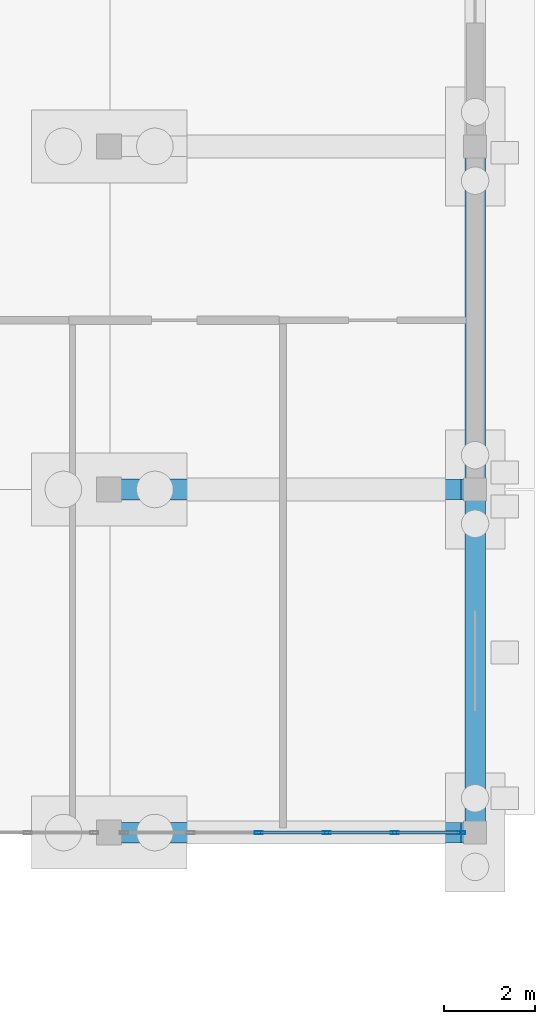
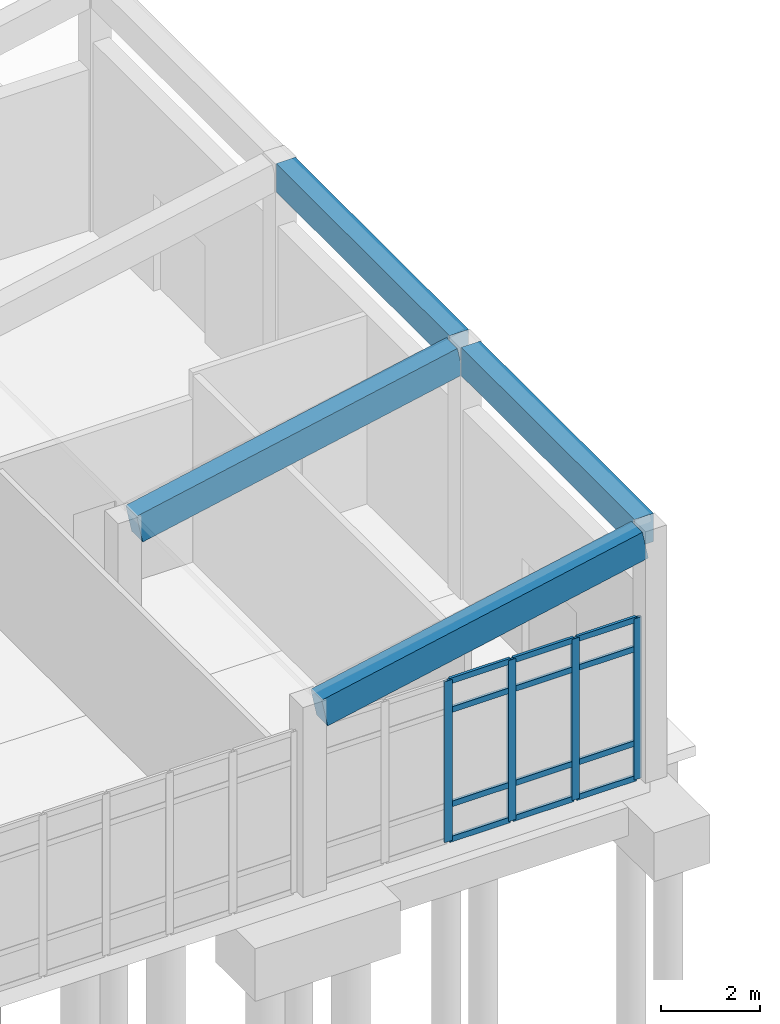
# One storey, part 114 of 173: 16 members, 4 beams, 1 element without a shape of its own.
"""IFC4 building model written with IfcOpenShell, lengths in metres."""

import ifcopenshell
import ifcopenshell.guid

model = None  # the IFC model being written
_history = None  # IfcOwnerHistory: only IFC2X3 demands one
_inside = {}  # id of a spatial element -> (the spatial element, [elements in it])
_under = {}  # id of a project, library or spatial element -> (it, [spatial elements below it])
_declared = {}  # id of a project -> (the project, [libraries it declares])
_typed = {}  # id of a type object -> (the type object, [elements of that type])
_made_of = {}  # id of a material, layer set ... -> (it, [elements and type objects made of it])


def new_model(schema):
    """Start an empty IFC model of exactly this schema.

    Asked for "IFC4X3", IfcOpenShell would pick the latest addendum, in which some entities
    have other attributes; the version numbers below select the first issue.
    IFC2X3 requires an IfcOwnerHistory on every rooted entity: one is made here for all.
    """
    global model, _history
    if schema == "IFC4X3":
        model = ifcopenshell.file(schema_version=(4, 3, 0, 0))
    else:
        model = ifcopenshell.file(schema=schema)
    _inside.clear()
    _under.clear()
    _declared.clear()
    _typed.clear()
    _made_of.clear()
    _history = None
    if model.schema == "IFC2X3":
        org = make("IfcOrganization", Name="unknown")
        user = make(
            "IfcPersonAndOrganization",
            ThePerson=make("IfcPerson", FamilyName="unknown"),
            TheOrganization=org,
        )
        app = make(
            "IfcApplication",
            ApplicationDeveloper=org,
            Version="unknown",
            ApplicationFullName="unknown",
            ApplicationIdentifier="unknown",
        )
        _history = make(
            "IfcOwnerHistory",
            OwningUser=user,
            OwningApplication=app,
            ChangeAction="ADDED",
            CreationDate=0,
        )
    return model


def make(cls, **values):
    """One entity of the class cls with the attributes given. An attribute that is None is left unset."""
    return model.create_entity(
        cls, **{name: value for name, value in values.items() if value is not None}
    )


def rooted(cls, **values):
    """An entity with a GlobalId (a new one), such as an element, a storey or a relation."""
    return make(cls, GlobalId=ifcopenshell.guid.new(), OwnerHistory=_history, **values)


def si_unit(unit_type, name, prefix=None):
    """IfcSIUnit, for example si_unit("LENGTHUNIT", "METRE", prefix="MILLI")."""
    return make("IfcSIUnit", UnitType=unit_type, Prefix=prefix, Name=name)


def assignment(units):
    """IfcUnitAssignment: the units of a project."""
    return None if units is None else make("IfcUnitAssignment", Units=units)


def point(xyz):
    """IfcCartesianPoint."""
    return None if xyz is None else make("IfcCartesianPoint", Coordinates=xyz)


def direction(xyz):
    """IfcDirection."""
    return None if xyz is None else make("IfcDirection", DirectionRatios=xyz)


def frame(location, z_axis=None, x_axis=None):
    """IfcAxis2Placement3D, a coordinate frame: its origin and axes. An axis left out is left unset."""
    return make(
        "IfcAxis2Placement3D",
        Location=point(location),
        Axis=direction(z_axis),
        RefDirection=direction(x_axis),
    )


def frame_2d(location, x_axis=None):
    """IfcAxis2Placement2D, a coordinate frame in the plane: its origin and x axis."""
    return make(
        "IfcAxis2Placement2D", Location=point(location), RefDirection=direction(x_axis)
    )


def origin():
    """The frame at (0, 0, 0) with its axes left unset."""
    return frame((0.0, 0.0, 0.0))


def origin_2d():
    """The frame at (0, 0) in the plane with its x axis left unset."""
    return frame_2d((0.0, 0.0))


def place(relative_to, where):
    """IfcLocalPlacement: puts the frame where relative to a parent placement (None: the world)."""
    return make(
        "IfcLocalPlacement", PlacementRelTo=relative_to, RelativePlacement=where
    )


def context(
    kind, dimensions, precision=None, world=None, true_north=None, identifier=None
):
    """IfcGeometricRepresentationContext, for example the 3D "Model" context."""
    return make(
        "IfcGeometricRepresentationContext",
        ContextIdentifier=identifier,
        ContextType=kind,
        CoordinateSpaceDimension=dimensions,
        Precision=precision,
        WorldCoordinateSystem=world,
        TrueNorth=true_north,
    )


def subcontext(parent, identifier, kind, view, scale=None):
    """IfcGeometricRepresentationSubContext, for example "Body" below "Model"."""
    return make(
        "IfcGeometricRepresentationSubContext",
        ContextIdentifier=identifier,
        ContextType=kind,
        ParentContext=parent,
        TargetScale=scale,
        TargetView=view,
    )


def project(units=None, contexts=None):
    """IfcProject with its units and contexts."""
    return rooted(
        "IfcProject",
        Name="project",
        RepresentationContexts=contexts,
        UnitsInContext=assignment(units),
    )


def spatial(cls, under=None, at=None, **own):
    """A site, building, storey or space (cls), placed at a placement, below another one or the project."""
    s = rooted(cls, ObjectPlacement=at, **own)
    if under is not None:
        _under.setdefault(under.id(), (under, []))[1].append(s)
    return s


def profile(cls, at=None, kind="AREA", **sizes):
    """A parametric profile (cls). Its sizes go by their IFC names, for example OverallWidth=200.0."""
    return make(cls, ProfileType=kind, Position=at, **sizes)


def rectangle(**sizes):
    """IfcRectangleProfileDef."""
    return profile("IfcRectangleProfileDef", **sizes)


def hollow_rectangle(**sizes):
    """IfcRectangleHollowProfileDef."""
    return profile("IfcRectangleHollowProfileDef", **sizes)


def extrude(swept, where, along, depth):
    """IfcExtrudedAreaSolid: the profile swept, set in the frame where, extruded along a direction by depth."""
    return make(
        "IfcExtrudedAreaSolid",
        SweptArea=swept,
        Position=where,
        ExtrudedDirection=direction(along),
        Depth=depth,
    )


def shape(context_of_items, identifier, shape_type, items):
    """IfcShapeRepresentation: the items that make up one representation, for example the "Body"."""
    return make(
        "IfcShapeRepresentation",
        ContextOfItems=context_of_items,
        RepresentationIdentifier=identifier,
        RepresentationType=shape_type,
        Items=items,
    )


def material(Name=None, Category=None):
    """IfcMaterial."""
    return make("IfcMaterial", Name=Name, Category=Category)


def layer(
    of_material, thickness, ventilated=None, Name=None, Category=None, Priority=None
):
    """IfcMaterialLayer: one layer of a wall or slab, of a material (None: an air gap)."""
    return make(
        "IfcMaterialLayer",
        Material=of_material,
        LayerThickness=thickness,
        IsVentilated=ventilated,
        Name=Name,
        Category=Category,
        Priority=Priority,
    )


def layer_set(layers, Name=None):
    """IfcMaterialLayerSet."""
    return make("IfcMaterialLayerSet", MaterialLayers=layers, LayerSetName=Name)


def material_profile(
    of_material, cross_section, Name=None, Category=None, Priority=None
):
    """IfcMaterialProfile: a cross section and its material."""
    return make(
        "IfcMaterialProfile",
        Name=Name,
        Material=of_material,
        Profile=cross_section,
        Priority=Priority,
        Category=Category,
    )


def profile_set(profiles, Name=None, composite=None):
    """IfcMaterialProfileSet."""
    return make(
        "IfcMaterialProfileSet",
        Name=Name,
        MaterialProfiles=profiles,
        CompositeProfile=composite,
    )


def made_of(thing, what):
    """Note that an element or type object is made of a material, layer set ...; save() writes the relation."""
    if what is not None:
        _made_of.setdefault(what.id(), (what, []))[1].append(thing)
    return thing


def type_object(cls, material=None, **own):
    """A type object (cls), such as IfcWallType, which elements share."""
    return made_of(rooted(cls, **own), material)


def element(
    cls,
    number,
    at=None,
    inside=None,
    cuts=None,
    type_object=None,
    material=None,
    context=None,
    identifier="Body",
    shape_type=None,
    held_by="IfcProductDefinitionShape",
    body=None,
    shapes=None,
    **own,
):
    """One element of the class cls, such as IfcWall. Its Tag is "e" and its number.

    at: its placement. inside: the storey or other place that contains it. cuts: it is an
    opening in that element (IfcRelVoidsElement). A single representation is given by context,
    identifier, shape_type and body (its items); several are given by shapes. held_by: the class
    of the entity that holds the representations. save() writes the other relations.
    """
    e = rooted(cls, Tag="e%d" % number, ObjectPlacement=at, **own)
    if body is not None:
        shapes = [shape(context, identifier, shape_type, body)]
    if shapes is not None:
        e.Representation = make(held_by, Representations=shapes)
    if inside is not None:
        _inside.setdefault(inside.id(), (inside, []))[1].append(e)
    if cuts is not None:
        rooted(
            "IfcRelVoidsElement", RelatingBuildingElement=cuts, RelatedOpeningElement=e
        )
    if type_object is not None:
        _typed.setdefault(type_object.id(), (type_object, []))[1].append(e)
    return made_of(e, material)


def aggregate(whole, parts):
    """IfcRelAggregates: a whole, such as a stair, and the parts it consists of."""
    return rooted("IfcRelAggregates", RelatingObject=whole, RelatedObjects=parts)


def save(model, path):
    """Write the relations noted so far, then the file.

    IfcRelAggregates (storeys below a building ...), IfcRelContainedInSpatialStructure (elements
    in a storey), IfcRelDefinesByType, IfcRelAssociatesMaterial and IfcRelDeclares: one each for
    every whole, place, type object, material and project.
    """
    for whole, parts in _under.values():
        aggregate(whole, parts)
    for where, things in _inside.values():
        rooted(
            "IfcRelContainedInSpatialStructure",
            RelatedElements=things,
            RelatingStructure=where,
        )
    for kind, things in _typed.values():
        rooted("IfcRelDefinesByType", RelatedObjects=things, RelatingType=kind)
    for what, things in _made_of.values():
        rooted("IfcRelAssociatesMaterial", RelatedObjects=things, RelatingMaterial=what)
    for by, libraries in _declared.values():
        rooted("IfcRelDeclares", RelatingContext=by, RelatedDefinitions=libraries)
    model.write(path)


model = new_model("IFC4")

# Units and contexts
model_context = context("Model", 3, precision=1e-05, world=origin(), true_north=direction((0.0, 1.0)))
body_context = subcontext(model_context, "Body", "Model", "MODEL_VIEW")
ifc_project = project(units=[si_unit("LENGTHUNIT", "METRE"), si_unit("AREAUNIT", "SQUARE_METRE"), si_unit("VOLUMEUNIT", "CUBIC_METRE"), si_unit("PLANEANGLEUNIT", "RADIAN"), si_unit("MASSUNIT", "GRAM", prefix="KILO")], contexts=[model_context])

# Site, building, storey
site_placement = place(None, origin())
site = spatial("IfcSite", under=ifc_project, at=site_placement, CompositionType="ELEMENT")
building_placement = place(site_placement, origin())
building = spatial("IfcBuilding", under=site, at=building_placement, Name="Mawjan Specialist Oncology Clinic", CompositionType="ELEMENT")
storey_placement = place(building_placement, origin())
storey = spatial("IfcBuildingStorey", under=building, at=storey_placement, Name="L00", CompositionType="ELEMENT", Elevation=0.0)

# Beams
ifc_material_1 = material(Name="Concrete C40/50", Category="concrete")
ifc_material_profile_1 = material_profile(ifc_material_1, rectangle(XDim=0.449951171875, YDim=0.699951171875, at=origin_2d()), Name="RC BM 450x700", Category="concrete")
ifc_profile_set_1 = profile_set([ifc_material_profile_1], Name="Concrete C40/50")
beam_type = type_object("IfcBeamType", Name="BM-450x700", PredefinedType="BEAM", material=ifc_profile_set_1)
for number, where, z_axis, x_axis, name in (
    (1, (156.260009765625, 75.800048828125, 4.35009765625), (0.979950378774, 0.0, 0.199241700304), (0.0, 1.0, 0.0), "L00 Roof Framing Beam BM-RF-L00-1253"),
    (2, (156.260009765625, 83.300048828125, 4.35009765625), (0.979950378774, 0.0, 0.199241700304), (0.0, 1.0, 0.0), "L00 Roof Framing Beam BM-RF-L00-1254"),
):
    element("IfcBeam", number, at=place(storey_placement, frame(where, z_axis=z_axis, x_axis=x_axis)), inside=storey, type_object=beam_type, Name=name, PredefinedType="BEAM", context=body_context, shape_type="SweptSolid", body=[
        extrude(rectangle(XDim=0.449951171875, YDim=0.699951171875, at=origin_2d()), origin(), (0.0, 0.0, 1.0), 7.658447265625),
    ])
for number, where, z_axis, x_axis, name in (
    (3, (164.0, 76.034912109375, 5.8759765625), (0.0, 1.0, 0.0), (-1.0, 0.0, 0.0), "L00 Roof Framing Beam BM-RF-L00-1281"),
    (4, (164.0, 83.534912109375, 5.8759765625), (0.0, 1.0, 0.0), (-1.0, 0.0, 0.0), "L00 Roof Framing Beam BM-RF-L00-1282"),
):
    element("IfcBeam", number, at=place(storey_placement, frame(where, z_axis=z_axis, x_axis=x_axis)), inside=storey, type_object=beam_type, Name=name, PredefinedType="BEAM", context=body_context, shape_type="SweptSolid", body=[
        extrude(rectangle(XDim=0.449951171875, YDim=0.699951171875, at=origin_2d()), origin(), (0.0, 0.0, 1.0), 7.030029296875),
    ])

# Curtain wall, members
ifc_material_2 = material(Name="Unitised spectrally selective aluminium curtain wall", Category="aluminium")
ifc_layer = layer(ifc_material_2, 0.179931640625, Name="Unitised spectrally selective aluminium curtain wall", Category="aluminium")
ifc_layer_set = layer_set([ifc_layer], Name="Unitised spectrally selective aluminium curtain wall")
curtain_wall_type = type_object("IfcCurtainWallType", Name="CW-16", PredefinedType="NOTDEFINED", material=ifc_layer_set)
curtain_wall_placement = place(storey_placement, origin())
curtain_wall = element("IfcCurtainWall", 5, at=curtain_wall_placement, inside=storey, type_object=curtain_wall_type, Name="L00 Unitised Curtain Wall CW-L00-029", PredefinedType="NOTDEFINED")
ifc_material_3 = material(Name="Thermally broken aluminium 6063-T6", Category="aluminium")
ifc_material_profile_2 = material_profile(ifc_material_3, hollow_rectangle(XDim=0.06494140625, YDim=0.179931640625, WallThickness=0.00390625, at=origin_2d()), Name="ALU MULLION 180x65x4", Category="aluminium")
ifc_profile_set_2 = profile_set([ifc_material_profile_2], Name="Thermally broken aluminium 6063-T6")
member_type_1 = type_object("IfcMemberType", Name="CW-M180", PredefinedType="MULLION", material=ifc_profile_set_2)
member_1_placement = place(storey_placement, frame((163.697509765625, 75.800048828125, 0.0), z_axis=(0.0, 0.0, 1.0), x_axis=(0.0, -1.0, 0.0)))
member_1 = element("IfcMember", 6, at=member_1_placement, type_object=member_type_1, Name="CW-16 mullion 1", PredefinedType="MULLION", context=body_context, shape_type="SweptSolid", body=[
    extrude(hollow_rectangle(XDim=0.06494140625, YDim=0.179931640625, WallThickness=0.00390625, at=origin_2d()), origin(), (0.0, 0.0, 1.0), 3.985107421875),
])
member_2_placement = place(storey_placement, frame((162.242919921875, 75.800048828125, 0.0), z_axis=(0.0, 0.0, 1.0), x_axis=(0.0, -1.0, 0.0)))
member_2 = element("IfcMember", 7, at=member_2_placement, type_object=member_type_1, Name="CW-16 mullion 2", PredefinedType="MULLION", context=body_context, shape_type="SweptSolid", body=[
    extrude(hollow_rectangle(XDim=0.06494140625, YDim=0.179931640625, WallThickness=0.00390625, at=origin_2d()), origin(), (0.0, 0.0, 1.0), 3.985107421875),
])
member_3_placement = place(storey_placement, frame((160.756103515625, 75.800048828125, 0.0), z_axis=(0.0, 0.0, 1.0), x_axis=(0.0, -1.0, 0.0)))
member_3 = element("IfcMember", 8, at=member_3_placement, type_object=member_type_1, Name="CW-16 mullion 3", PredefinedType="MULLION", context=body_context, shape_type="SweptSolid", body=[
    extrude(hollow_rectangle(XDim=0.06494140625, YDim=0.179931640625, WallThickness=0.00390625, at=origin_2d()), origin(), (0.0, 0.0, 1.0), 3.985107421875),
])
member_4_placement = place(storey_placement, frame((159.26904296875, 75.800048828125, 0.0), z_axis=(0.0, 0.0, 1.0), x_axis=(0.0, -1.0, 0.0)))
member_4 = element("IfcMember", 9, at=member_4_placement, type_object=member_type_1, Name="CW-16 mullion 4", PredefinedType="MULLION", context=body_context, shape_type="SweptSolid", body=[
    extrude(hollow_rectangle(XDim=0.06494140625, YDim=0.179931640625, WallThickness=0.00390625, at=origin_2d()), origin(), (0.0, 0.0, 1.0), 3.985107421875),
])
ifc_material_4 = material(Name="Thermally broken aluminium 6063-T6", Category="aluminium")
ifc_material_profile_3 = material_profile(ifc_material_4, hollow_rectangle(XDim=0.06494140625, YDim=0.139892578125, WallThickness=0.00390625, at=origin_2d()), Name="ALU TRANSOM 140x65x4", Category="aluminium")
ifc_profile_set_3 = profile_set([ifc_material_profile_3], Name="Thermally broken aluminium 6063-T6")
member_type_2 = type_object("IfcMemberType", Name="CW-T140", PredefinedType="USERDEFINED", material=ifc_profile_set_3)
member_5_placement = place(storey_placement, frame((163.6650390625, 75.800048828125, 0.032470703125), z_axis=(-1.0, 0.0, 0.0), x_axis=(0.0, -1.0, 0.0)))
member_5 = element("IfcMember", 10, at=member_5_placement, type_object=member_type_2, Name="CW-16 transom 1.1", ObjectType="TRANSOM", PredefinedType="USERDEFINED", context=body_context, shape_type="SweptSolid", body=[
    extrude(hollow_rectangle(XDim=0.06494140625, YDim=0.139892578125, WallThickness=0.00390625, at=origin_2d()), origin(), (0.0, 0.0, 1.0), 1.3896484375),
])
member_6_placement = place(storey_placement, frame((163.6650390625, 75.800048828125, 0.89990234375), z_axis=(-1.0, 0.0, 0.0), x_axis=(0.0, -1.0, 0.0)))
member_6 = element("IfcMember", 11, at=member_6_placement, type_object=member_type_2, Name="CW-16 transom 1.2", ObjectType="TRANSOM", PredefinedType="USERDEFINED", context=body_context, shape_type="SweptSolid", body=[
    extrude(hollow_rectangle(XDim=0.06494140625, YDim=0.139892578125, WallThickness=0.00390625, at=origin_2d()), origin(), (0.0, 0.0, 1.0), 1.3896484375),
])
member_7_placement = place(storey_placement, frame((163.6650390625, 75.800048828125, 3.235107421875), z_axis=(-1.0, 0.0, 0.0), x_axis=(0.0, -1.0, 0.0)))
member_7 = element("IfcMember", 12, at=member_7_placement, type_object=member_type_2, Name="CW-16 transom 1.3", ObjectType="TRANSOM", PredefinedType="USERDEFINED", context=body_context, shape_type="SweptSolid", body=[
    extrude(hollow_rectangle(XDim=0.06494140625, YDim=0.139892578125, WallThickness=0.00390625, at=origin_2d()), origin(), (0.0, 0.0, 1.0), 1.3896484375),
])
member_8_placement = place(storey_placement, frame((163.6650390625, 75.800048828125, 3.952392578125), z_axis=(-1.0, 0.0, 0.0), x_axis=(0.0, -1.0, 0.0)))
member_8 = element("IfcMember", 13, at=member_8_placement, type_object=member_type_2, Name="CW-16 transom 1.4", ObjectType="TRANSOM", PredefinedType="USERDEFINED", context=body_context, shape_type="SweptSolid", body=[
    extrude(hollow_rectangle(XDim=0.06494140625, YDim=0.139892578125, WallThickness=0.00390625, at=origin_2d()), origin(), (0.0, 0.0, 1.0), 1.3896484375),
])
member_9_placement = place(storey_placement, frame((162.21044921875, 75.800048828125, 0.032470703125), z_axis=(-1.0, 0.0, 0.0), x_axis=(0.0, -1.0, 0.0)))
member_9 = element("IfcMember", 14, at=member_9_placement, type_object=member_type_2, Name="CW-16 transom 2.1", ObjectType="TRANSOM", PredefinedType="USERDEFINED", context=body_context, shape_type="SweptSolid", body=[
    extrude(hollow_rectangle(XDim=0.06494140625, YDim=0.139892578125, WallThickness=0.00390625, at=origin_2d()), origin(), (0.0, 0.0, 1.0), 1.421875),
])
member_10_placement = place(storey_placement, frame((162.21044921875, 75.800048828125, 0.89990234375), z_axis=(-1.0, 0.0, 0.0), x_axis=(0.0, -1.0, 0.0)))
member_10 = element("IfcMember", 15, at=member_10_placement, type_object=member_type_2, Name="CW-16 transom 2.2", ObjectType="TRANSOM", PredefinedType="USERDEFINED", context=body_context, shape_type="SweptSolid", body=[
    extrude(hollow_rectangle(XDim=0.06494140625, YDim=0.139892578125, WallThickness=0.00390625, at=origin_2d()), origin(), (0.0, 0.0, 1.0), 1.421875),
])
member_11_placement = place(storey_placement, frame((162.21044921875, 75.800048828125, 3.235107421875), z_axis=(-1.0, 0.0, 0.0), x_axis=(0.0, -1.0, 0.0)))
member_11 = element("IfcMember", 16, at=member_11_placement, type_object=member_type_2, Name="CW-16 transom 2.3", ObjectType="TRANSOM", PredefinedType="USERDEFINED", context=body_context, shape_type="SweptSolid", body=[
    extrude(hollow_rectangle(XDim=0.06494140625, YDim=0.139892578125, WallThickness=0.00390625, at=origin_2d()), origin(), (0.0, 0.0, 1.0), 1.421875),
])
member_12_placement = place(storey_placement, frame((162.21044921875, 75.800048828125, 3.952392578125), z_axis=(-1.0, 0.0, 0.0), x_axis=(0.0, -1.0, 0.0)))
member_12 = element("IfcMember", 17, at=member_12_placement, type_object=member_type_2, Name="CW-16 transom 2.4", ObjectType="TRANSOM", PredefinedType="USERDEFINED", context=body_context, shape_type="SweptSolid", body=[
    extrude(hollow_rectangle(XDim=0.06494140625, YDim=0.139892578125, WallThickness=0.00390625, at=origin_2d()), origin(), (0.0, 0.0, 1.0), 1.421875),
])
member_13_placement = place(storey_placement, frame((160.723388671875, 75.800048828125, 0.032470703125), z_axis=(-1.0, 0.0, 0.0), x_axis=(0.0, -1.0, 0.0)))
member_13 = element("IfcMember", 18, at=member_13_placement, type_object=member_type_2, Name="CW-16 transom 3.1", ObjectType="TRANSOM", PredefinedType="USERDEFINED", context=body_context, shape_type="SweptSolid", body=[
    extrude(hollow_rectangle(XDim=0.06494140625, YDim=0.139892578125, WallThickness=0.00390625, at=origin_2d()), origin(), (0.0, 0.0, 1.0), 1.421875),
])
member_14_placement = place(storey_placement, frame((160.723388671875, 75.800048828125, 0.89990234375), z_axis=(-1.0, 0.0, 0.0), x_axis=(0.0, -1.0, 0.0)))
member_14 = element("IfcMember", 19, at=member_14_placement, type_object=member_type_2, Name="CW-16 transom 3.2", ObjectType="TRANSOM", PredefinedType="USERDEFINED", context=body_context, shape_type="SweptSolid", body=[
    extrude(hollow_rectangle(XDim=0.06494140625, YDim=0.139892578125, WallThickness=0.00390625, at=origin_2d()), origin(), (0.0, 0.0, 1.0), 1.421875),
])
member_15_placement = place(storey_placement, frame((160.723388671875, 75.800048828125, 3.235107421875), z_axis=(-1.0, 0.0, 0.0), x_axis=(0.0, -1.0, 0.0)))
member_15 = element("IfcMember", 20, at=member_15_placement, type_object=member_type_2, Name="CW-16 transom 3.3", ObjectType="TRANSOM", PredefinedType="USERDEFINED", context=body_context, shape_type="SweptSolid", body=[
    extrude(hollow_rectangle(XDim=0.06494140625, YDim=0.139892578125, WallThickness=0.00390625, at=origin_2d()), origin(), (0.0, 0.0, 1.0), 1.421875),
])
member_16_placement = place(storey_placement, frame((160.723388671875, 75.800048828125, 3.952392578125), z_axis=(-1.0, 0.0, 0.0), x_axis=(0.0, -1.0, 0.0)))
member_16 = element("IfcMember", 21, at=member_16_placement, type_object=member_type_2, Name="CW-16 transom 3.4", ObjectType="TRANSOM", PredefinedType="USERDEFINED", context=body_context, shape_type="SweptSolid", body=[
    extrude(hollow_rectangle(XDim=0.06494140625, YDim=0.139892578125, WallThickness=0.00390625, at=origin_2d()), origin(), (0.0, 0.0, 1.0), 1.421875),
])
aggregate(curtain_wall, [member_1, member_2, member_3, member_4, member_5, member_6, member_7, member_8, member_9, member_10, member_11, member_12, member_13, member_14, member_15, member_16])

save(model, "model.ifc")
